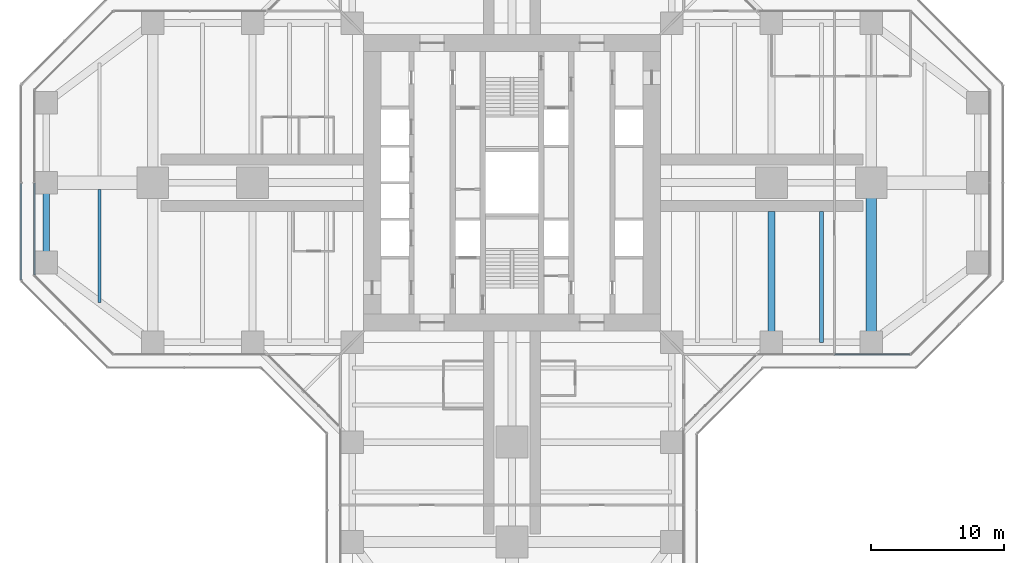
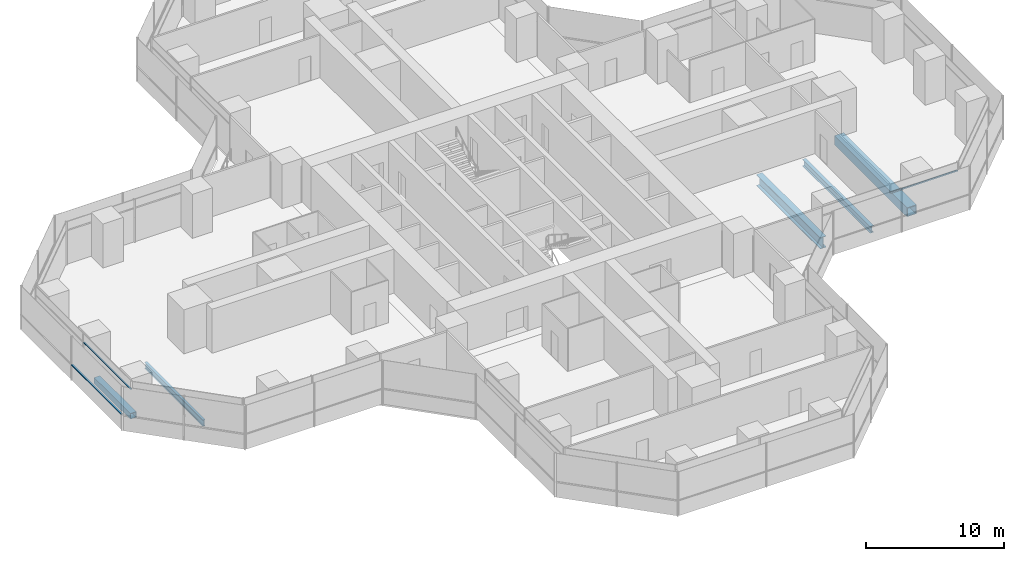
# One storey, part 7 of 22: 5 beams, 3 members, 3 elements without a shape of their own.
"""IFC4 building model written with IfcOpenShell, lengths in metres."""

from ifc_helpers import new_model, si_unit, direction, frame, origin, origin_2d, place, context, subcontext, project, spatial, rectangle, hollow_rectangle, i_section, extrude, material, material_profile, profile_set, type_object, element, aggregate, save


model = new_model("IFC4")

# Units and contexts
model_context = context("Model", 3, precision=1e-05, world=origin(), true_north=direction((0.0, 1.0)))
body_context = subcontext(model_context, "Body", "Model", "MODEL_VIEW")
ifc_project = project(units=[si_unit("LENGTHUNIT", "METRE"), si_unit("AREAUNIT", "SQUARE_METRE"), si_unit("VOLUMEUNIT", "CUBIC_METRE"), si_unit("PLANEANGLEUNIT", "RADIAN"), si_unit("MASSUNIT", "GRAM", prefix="KILO")], contexts=[model_context])

# Site, building, storey
site_placement = place(None, origin())
site = spatial("IfcSite", under=ifc_project, at=site_placement, CompositionType="ELEMENT")
building_placement = place(site_placement, origin())
building = spatial("IfcBuilding", under=site, at=building_placement, Name="Mizan Broadcast Tower", CompositionType="ELEMENT")
storey_placement = place(building_placement, frame((0.0, 0.0, 98.10009765625)))
storey = spatial("IfcBuildingStorey", under=building, at=storey_placement, Name="L21", CompositionType="ELEMENT", Elevation=98.10009765625)

# Beams
ifc_material_1 = material(Name="Steel S355", Category="steel")
ifc_material_profile_1 = material_profile(ifc_material_1, hollow_rectangle(XDim=0.5, YDim=0.5, WallThickness=0.030029296875, at=origin_2d()), Name="BOX 500x500x30")
ifc_profile_set_1 = profile_set([ifc_material_profile_1], Name="Steel S355")
beam_type_1 = type_object("IfcBeamType", Name="EDGE BEAM BOX 500x500x30", PredefinedType="SPANDREL", material=ifc_profile_set_1)
beam_1_placement = place(storey_placement, frame((-35.0, -5.639892578125, -0.380126953125), z_axis=(0.0, 1.0, 0.0), x_axis=(-1.0, 0.0, 0.0)))
element("IfcBeam", 1, at=beam_1_placement, inside=storey, type_object=beam_type_1, Name="Edge beam BOX 500x500x30 L21 west arm", PredefinedType="SPANDREL", context=body_context, shape_type="SweptSolid", body=[
    extrude(hollow_rectangle(XDim=0.5, YDim=0.5, WallThickness=0.030029296875, at=origin_2d()), origin(), (0.0, 0.0, 1.0), 5.27978515625),
])
ifc_material_2 = material(Name="Steel S460", Category="steel")
ifc_material_profile_2 = material_profile(ifc_material_2, hollow_rectangle(XDim=0.800048828125, YDim=0.800048828125, WallThickness=0.050048828125, at=origin_2d()), Name="BOX 800x800x50")
ifc_profile_set_2 = profile_set([ifc_material_profile_2], Name="Steel S460")
beam_type_2 = type_object("IfcBeamType", Name="GIRDER BOX 800x800x50", PredefinedType="BEAM", material=ifc_profile_set_2)
beam_2_placement = place(storey_placement, frame((27.0, -11.280029296875, -0.530029296875), z_axis=(0.0, 1.0, 0.0), x_axis=(-1.0, 0.0, 0.0)))
element("IfcBeam", 2, at=beam_2_placement, inside=storey, type_object=beam_type_2, Name="Girder BOX 800x800x50 L21 east arm", PredefinedType="BEAM", context=body_context, shape_type="SweptSolid", body=[
    extrude(hollow_rectangle(XDim=0.800048828125, YDim=0.800048828125, WallThickness=0.050048828125, at=origin_2d()), origin(), (0.0, 0.0, 1.0), 10.56005859375),
])
ifc_material_3 = material(Name="Steel S460", Category="steel")
ifc_material_profile_3 = material_profile(ifc_material_3, i_section(OverallWidth=0.5, OverallDepth=1.0, WebThickness=0.02490234375, FlangeThickness=0.050048828125, at=origin_2d()), Name="WPG 1000x500")
ifc_profile_set_3 = profile_set([ifc_material_profile_3], Name="Steel S460")
beam_type_3 = type_object("IfcBeamType", Name="GIRDER WPG 1000x500", PredefinedType="BEAM", material=ifc_profile_set_3)
beam_3_placement = place(storey_placement, frame((19.5, -11.408935546875, -0.630126953125), z_axis=(0.0, 1.0, 0.0), x_axis=(-1.0, 0.0, 0.0)))
element("IfcBeam", 3, at=beam_3_placement, inside=storey, type_object=beam_type_3, Name="Girder WPG 1000x500 L21 east arm", PredefinedType="BEAM", context=body_context, shape_type="SweptSolid", body=[
    extrude(i_section(OverallWidth=0.5, OverallDepth=1.0, WebThickness=0.02490234375, FlangeThickness=0.050048828125, at=origin_2d()), origin(), (0.0, 0.0, 1.0), 9.259033203125),
])

# Curtain wall, member
ifc_material_4 = material(Name="Aluminium framed glazing", Category="aluminium")
curtain_wall_type_1 = type_object("IfcCurtainWallType", Name="INNER SKIN LOW ZONE", PredefinedType="USERDEFINED", material=ifc_material_4)
curtain_wall_1_placement = place(storey_placement, origin())
curtain_wall_1 = element("IfcCurtainWall", 4, at=curtain_wall_1_placement, inside=storey, type_object=curtain_wall_type_1, Name="Inner skin low zone L21 E side", ObjectType="INNER SKIN LOW ZONE", PredefinedType="USERDEFINED")
ifc_material_5 = material(Name="Aluminium, pale anodised", Category="aluminium")
ifc_material_profile_4 = material_profile(ifc_material_5, rectangle(XDim=0.1201171875, YDim=0.06005859375, at=origin_2d()), Name="TRANSOM 120x60")
ifc_profile_set_4 = profile_set([ifc_material_profile_4], Name="Aluminium, pale anodised")
member_type_1 = type_object("IfcMemberType", Name="INNER SKIN TRANSOM 60x120", PredefinedType="USERDEFINED", material=ifc_profile_set_4)
member_1_placement = place(storey_placement, frame((24.25927734375, -12.89990234375, 3.02978515625), z_axis=(1.0, 0.0, 0.0), x_axis=(0.0, 1.0, 0.0)))
member_1 = element("IfcMember", 5, at=member_1_placement, type_object=member_type_1, Name="Inner skin low zone L21 E side transom 2.1", ObjectType="TRANSOM", PredefinedType="USERDEFINED", context=body_context, shape_type="SweptSolid", body=[
    extrude(rectangle(XDim=0.1201171875, YDim=0.06005859375, at=origin_2d()), origin(), (0.0, 0.0, 1.0), 5.639404296875),
])
aggregate(curtain_wall_1, [member_1])

curtain_wall_2_placement = place(storey_placement, origin())
curtain_wall_2 = element("IfcCurtainWall", 6, at=curtain_wall_2_placement, inside=storey, type_object=curtain_wall_type_1, Name="Inner skin low zone L21 W end", ObjectType="INNER SKIN LOW ZONE", PredefinedType="USERDEFINED")
member_2_placement = place(storey_placement, frame((-35.89990234375, -0.030029296875, 3.02978515625), z_axis=(0.0, -1.0, 0.0), x_axis=(1.0, 0.0, 0.0)))
member_2 = element("IfcMember", 7, at=member_2_placement, type_object=member_type_1, Name="Inner skin low zone L21 W end transom 2.1", ObjectType="TRANSOM", PredefinedType="USERDEFINED", context=body_context, shape_type="SweptSolid", body=[
    extrude(rectangle(XDim=0.1201171875, YDim=0.06005859375, at=origin_2d()), origin(), (0.0, 0.0, 1.0), 6.86865234375),
])
aggregate(curtain_wall_2, [member_2])

ifc_material_6 = material(Name="Aluminium framed glazing", Category="aluminium")
curtain_wall_type_2 = type_object("IfcCurtainWallType", Name="OUTER SKIN", PredefinedType="USERDEFINED", material=ifc_material_6)
curtain_wall_3_placement = place(storey_placement, origin())
curtain_wall_3 = element("IfcCurtainWall", 8, at=curtain_wall_3_placement, inside=storey, type_object=curtain_wall_type_2, Name="Outer skin L21 W end", ObjectType="OUTER SKIN", PredefinedType="USERDEFINED")
ifc_material_7 = material(Name="Aluminium, pale anodised", Category="aluminium")
ifc_material_profile_5 = material_profile(ifc_material_7, rectangle(XDim=0.159912109375, YDim=0.06005859375, at=origin_2d()), Name="TRANSOM 160x60")
ifc_profile_set_5 = profile_set([ifc_material_profile_5], Name="Aluminium, pale anodised")
member_type_2 = type_object("IfcMemberType", Name="OUTER SKIN TRANSOM 60x160", PredefinedType="USERDEFINED", material=ifc_profile_set_5)
member_3_placement = place(storey_placement, frame((-36.89990234375, -0.0400390625, 1.39990234375), z_axis=(0.0, -1.0, 0.0), x_axis=(1.0, 0.0, 0.0)))
member_3 = element("IfcMember", 9, at=member_3_placement, type_object=member_type_2, Name="Outer skin L21 W end transom 2.1", ObjectType="TRANSOM", PredefinedType="USERDEFINED", context=body_context, shape_type="SweptSolid", body=[
    extrude(rectangle(XDim=0.159912109375, YDim=0.06005859375, at=origin_2d()), origin(), (0.0, 0.0, 1.0), 7.252685546875),
])
aggregate(curtain_wall_3, [member_3])

# Beams
ifc_material_8 = material(Name="Steel S355", Category="steel")
ifc_material_profile_6 = material_profile(ifc_material_8, i_section(OverallWidth=0.300048828125, OverallDepth=0.590087890625, WebThickness=0.012939453125, FlangeThickness=0.02490234375, FilletRadius=0.027099609375, at=origin_2d()), Name="HEA 600")
ifc_profile_set_6 = profile_set([ifc_material_profile_6], Name="Steel S355")
beam_type_4 = type_object("IfcBeamType", Name="SECONDARY BEAM HEA 600", PredefinedType="JOIST", material=ifc_profile_set_6)
beam_4_placement = place(storey_placement, frame((23.25, -12.0, -0.425048828125), z_axis=(0.0, 1.0, 0.0), x_axis=(-1.0, 0.0, 0.0)))
element("IfcBeam", 10, at=beam_4_placement, inside=storey, type_object=beam_type_4, Name="Secondary beam HEA 600 L21 east arm", PredefinedType="JOIST", context=body_context, shape_type="SweptSolid", body=[
    extrude(i_section(OverallWidth=0.300048828125, OverallDepth=0.590087890625, WebThickness=0.012939453125, FlangeThickness=0.02490234375, FilletRadius=0.027099609375, at=origin_2d()), origin(), (0.0, 0.0, 1.0), 9.85009765625),
])
ifc_material_9 = material(Name="Steel S355", Category="steel")
ifc_material_profile_7 = material_profile(ifc_material_9, i_section(OverallWidth=0.2099609375, OverallDepth=0.550048828125, WebThickness=0.010986328125, FlangeThickness=0.01708984375, FilletRadius=0.02392578125, at=origin_2d()), Name="IPE 550")
ifc_profile_set_7 = profile_set([ifc_material_profile_7], Name="Steel S355")
beam_type_5 = type_object("IfcBeamType", Name="SECONDARY BEAM IPE 550", PredefinedType="JOIST", material=ifc_profile_set_7)
beam_5_placement = place(storey_placement, frame((-31.0, -9.0, -0.405029296875), z_axis=(0.0, 1.0, 0.0), x_axis=(-1.0, 0.0, 0.0)))
element("IfcBeam", 11, at=beam_5_placement, inside=storey, type_object=beam_type_5, Name="Secondary beam IPE 550 L21 west arm", PredefinedType="JOIST", context=body_context, shape_type="SweptSolid", body=[
    extrude(i_section(OverallWidth=0.2099609375, OverallDepth=0.550048828125, WebThickness=0.010986328125, FlangeThickness=0.01708984375, FilletRadius=0.02392578125, at=origin_2d()), origin(), (0.0, 0.0, 1.0), 8.5),
])

save(model, "model.ifc")
